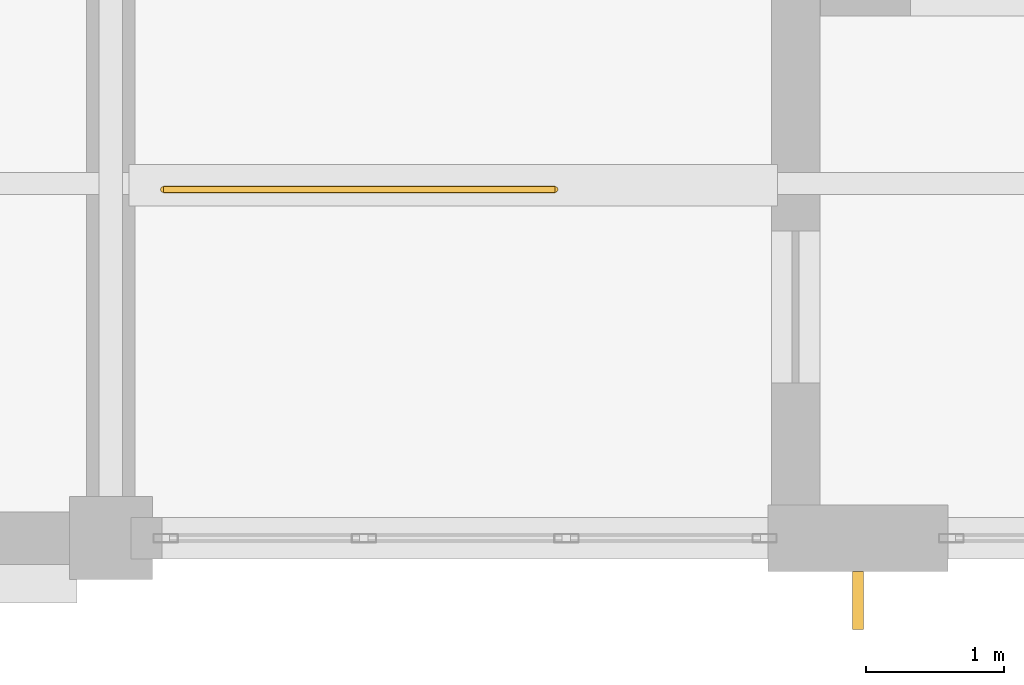
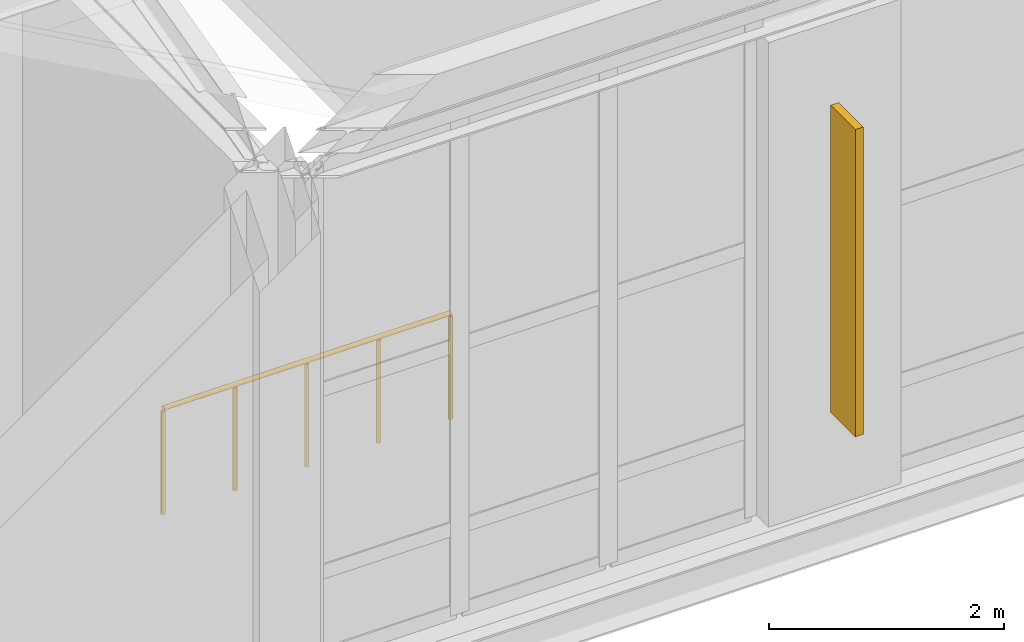
# One storey, part 47 of 49: 1 railing, 1 shading device.
"""IFC4 building model written with IfcOpenShell, lengths in metres."""

from ifc_helpers import new_model, si_unit, direction, frame, origin, origin_2d, place, context, subcontext, project, spatial, rectangle, circle, extrude, material, type_object, element, save


model = new_model("IFC4")

# Units and contexts
model_context = context("Model", 3, precision=1e-05, world=origin(), true_north=direction((0.0, 1.0)))
body_context = subcontext(model_context, "Body", "Model", "MODEL_VIEW")
ifc_project = project(units=[si_unit("LENGTHUNIT", "METRE"), si_unit("AREAUNIT", "SQUARE_METRE"), si_unit("VOLUMEUNIT", "CUBIC_METRE"), si_unit("PLANEANGLEUNIT", "RADIAN"), si_unit("MASSUNIT", "GRAM", prefix="KILO")], contexts=[model_context])

# Site, building, storey
site_placement = place(None, origin())
site = spatial("IfcSite", under=ifc_project, at=site_placement, CompositionType="ELEMENT")
building_placement = place(site_placement, origin())
building = spatial("IfcBuilding", under=site, at=building_placement, Name="Tasgan Crest Museum", CompositionType="ELEMENT")
storey_placement = place(building_placement, frame((0.0, 0.0, 28.800048828125)))
storey = spatial("IfcBuildingStorey", under=building, at=storey_placement, Name="L05", CompositionType="ELEMENT", Elevation=28.800048828125)

# Railing
ifc_material_1 = material(Name="Brushed Bronze and Toughened Glass", Category="glass")
railing_type = type_object("IfcRailingType", Name="RL-INT-GUARD-1120", PredefinedType="GUARDRAIL", material=ifc_material_1)
railing_placement = place(storey_placement, frame((54.3798828125, 84.52001953125, 0.0)))
element("IfcRailing", 1, at=railing_placement, inside=storey, type_object=railing_type, Name="North-Central Sawtooth Core top stairwell guard L05", PredefinedType="GUARDRAIL", context=body_context, shape_type="SweptSolid", body=[
    extrude(circle(Radius=0.02392578125, at=origin_2d()), frame((0.0, 0.0, 1.09619140625), z_axis=(1.0, 0.0, 0.0), x_axis=(0.0, 1.0, 0.0)), (0.0, 0.0, 1.0), 2.830078125),
    extrude(circle(Radius=0.02099609375, at=origin_2d()), origin(), (0.0, 0.0, 1.0), 1.072021484375),
    extrude(circle(Radius=0.02099609375, at=origin_2d()), frame((0.70751953125, 0.0, 0.0)), (0.0, 0.0, 1.0), 1.072021484375),
    extrude(circle(Radius=0.02099609375, at=origin_2d()), frame((1.4150390625, 0.0, 0.0)), (0.0, 0.0, 1.0), 1.072021484375),
    extrude(circle(Radius=0.02099609375, at=origin_2d()), frame((2.12255859375, 0.0, 0.0)), (0.0, 0.0, 1.0), 1.072021484375),
    extrude(circle(Radius=0.02099609375, at=origin_2d()), frame((2.830078125, 0.0, 0.0)), (0.0, 0.0, 1.0), 1.072021484375),
])

# Shading device
ifc_material_2 = material(Name="Anodised Bronze Aluminium", Category="aluminium")
shading_device_type = type_object("IfcShadingDeviceType", Name="SH-FIN-V400", PredefinedType="JALOUSIE", material=ifc_material_2)
shading_device_placement = place(storey_placement, frame((59.39990234375, 81.550048828125, 0.97998046875), z_axis=(0.0, 0.0, 1.0), x_axis=(1.0, 0.0, 0.0)))
element("IfcShadingDevice", 2, at=shading_device_placement, inside=storey, type_object=shading_device_type, Name="Facade pier solar fin L05", PredefinedType="JALOUSIE", context=body_context, shape_type="SweptSolid", body=[
    extrude(rectangle(XDim=0.080078125, YDim=0.419921875, at=origin_2d()), origin(), (0.0, 0.0, 1.0), 3.199951171875),
])

save(model, "model.ifc")
